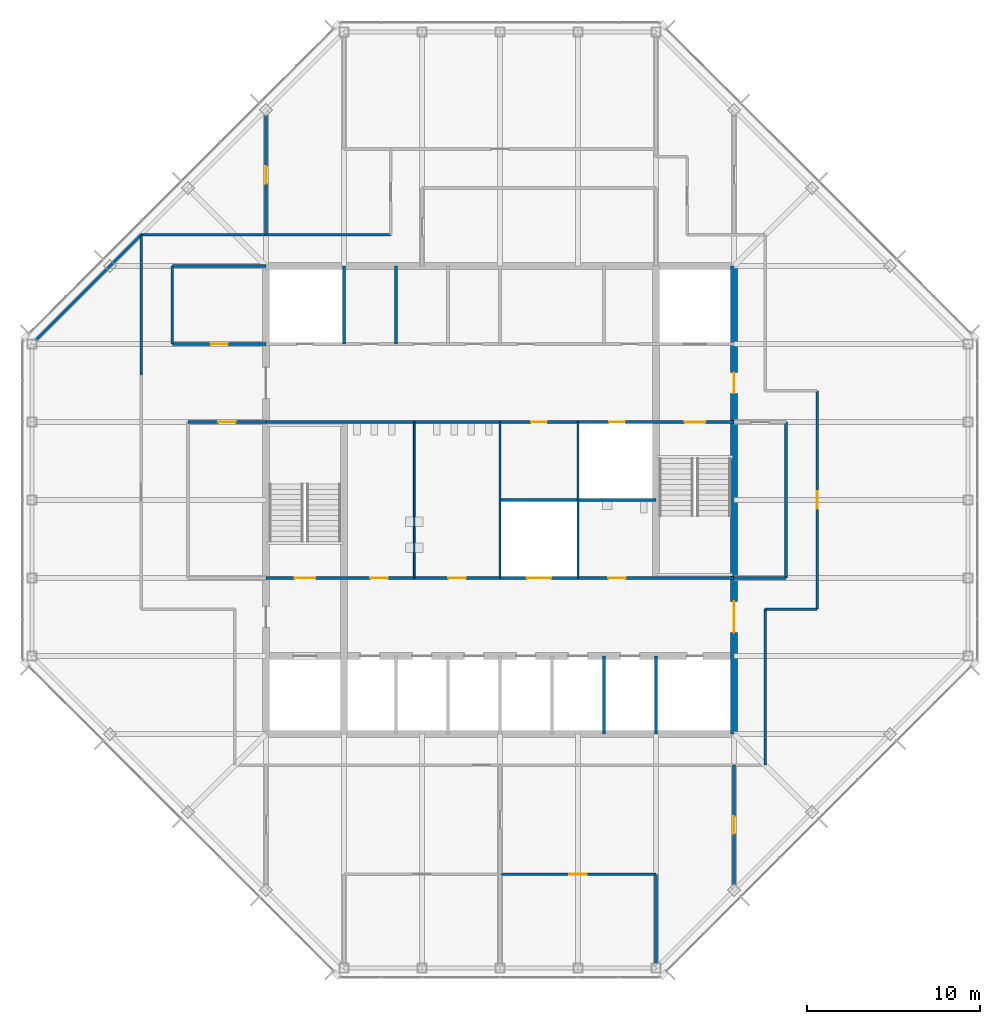
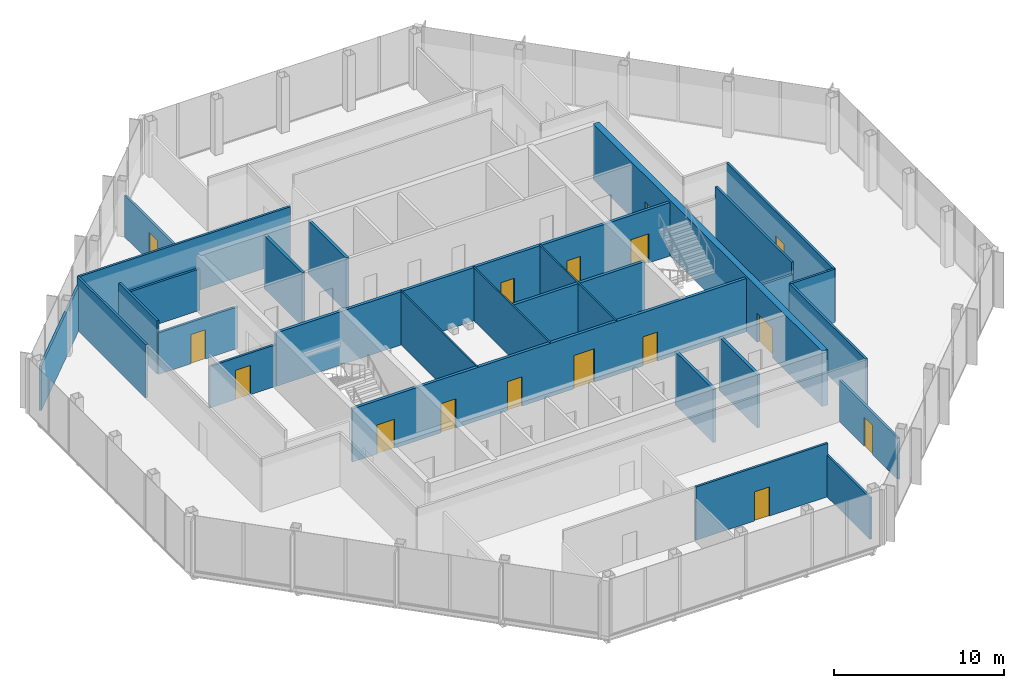
# One storey, part 10 of 13: 27 walls, 16 doors, 16 openings.
"""IFC4 building model written with IfcOpenShell, lengths in metres."""

from ifc_helpers import new_model, si_unit, direction, frame, frame_2d, origin, place, context, subcontext, project, spatial, rectangle, extrude, material, layer, layer_set, type_object, element, fill, save


model = new_model("IFC4")

# Units and contexts
model_context = context("Model", 3, precision=1e-05, world=origin(), true_north=direction((0.0, 1.0)))
body_context = subcontext(model_context, "Body", "Model", "MODEL_VIEW")
ifc_project = project(units=[si_unit("LENGTHUNIT", "METRE"), si_unit("AREAUNIT", "SQUARE_METRE"), si_unit("VOLUMEUNIT", "CUBIC_METRE"), si_unit("PLANEANGLEUNIT", "RADIAN"), si_unit("MASSUNIT", "GRAM", prefix="KILO")], contexts=[model_context])

# Site, building, storey
site_placement = place(None, origin())
site = spatial("IfcSite", under=ifc_project, at=site_placement, CompositionType="ELEMENT")
building_placement = place(site_placement, origin())
building = spatial("IfcBuilding", under=site, at=building_placement, Name="Corais Broadcast Tower", CompositionType="ELEMENT")
storey_placement = place(building_placement, frame((0.0, 0.0, 306.60009765625)))
storey = spatial("IfcBuildingStorey", under=building, at=storey_placement, Name="L72", CompositionType="ELEMENT", Elevation=306.60009765625)

# Walls
ifc_material_1 = material(Name="Concrete blockwork class A, grouted, two-hour", Category="masonry")
ifc_layer_1 = layer(ifc_material_1, 0.199951171875)
ifc_layer_set_1 = layer_set([ifc_layer_1], Name="Concrete blockwork class A, grouted, two-hour")
wall_type_1 = type_object("IfcWallType", Name="Core lobby wall 200", PredefinedType="SOLIDWALL", material=ifc_layer_set_1)
for number, where, z_axis, x_axis, name in (
    (1, (18.0, 36.0, 0.0), (0.0, 0.0, 1.0), (0.0, 1.0, 0.0), "CL3 core shaft wall X18B L72"),
    (2, (36.0, 13.5, 0.0), (0.0, 0.0, 1.0), (0.0, 1.0, 0.0), "CL3 core shaft wall X36A L72"),
):
    element("IfcWall", number, at=place(storey_placement, frame(where, z_axis=z_axis, x_axis=x_axis)), inside=storey, type_object=wall_type_1, Name=name, PredefinedType="SOLIDWALL", context=body_context, shape_type="SweptSolid", body=[
        extrude(rectangle(XDim=4.5, YDim=0.199951171875, at=frame_2d((2.25, 0.0))), origin(), (0.0, 0.0, 1.0), 3.83984375),
    ])

# Wall, openings, doors
wall_1_placement = place(storey_placement, frame((13.5, 22.5, 0.0), z_axis=(0.0, 0.0, 1.0), x_axis=(1.0, 0.0, 0.0)))
wall_1 = element("IfcWall", 3, at=wall_1_placement, inside=storey, type_object=wall_type_1, Name="CL3 core lobby wall Y225 L72", PredefinedType="SOLIDWALL", context=body_context, shape_type="SweptSolid", body=[
    extrude(rectangle(XDim=27.0, YDim=0.199951171875, at=frame_2d((13.5, 0.0))), origin(), (0.0, 0.0, 1.0), 3.83984375),
])
opening_1_placement = place(wall_1_placement, frame((1.64990234375, 0.0, 0.0)))
opening_1 = element("IfcOpeningElement", 4, at=opening_1_placement, cuts=wall_1, Name="Opening FD1", PredefinedType="OPENING", context=body_context, shape_type="SweptSolid", body=[
    extrude(rectangle(XDim=1.199951171875, YDim=2.10009765625, at=frame_2d((0.60009765625, 1.050048828125))), frame((0.0, 0.10986328125, 0.0), z_axis=(0.0, -1.0, 0.0), x_axis=(1.0, 0.0, 0.0)), (0.0, 0.0, 1.0), 0.219970703125),
])
opening_2_placement = place(wall_1_placement, frame((6.02490234375, 0.0, 0.0)))
opening_2 = element("IfcOpeningElement", 5, at=opening_2_placement, cuts=wall_1, Name="Opening WD1", PredefinedType="OPENING", context=body_context, shape_type="SweptSolid", body=[
    extrude(rectangle(XDim=1.0, YDim=2.10009765625, at=frame_2d((0.5, 1.050048828125))), frame((0.0, 0.10986328125, 0.0), z_axis=(0.0, -1.0, 0.0), x_axis=(1.0, 0.0, 0.0)), (0.0, 0.0, 1.0), 0.219970703125),
])
opening_3_placement = place(wall_1_placement, frame((10.52490234375, 0.0, 0.0)))
opening_3 = element("IfcOpeningElement", 6, at=opening_3_placement, cuts=wall_1, Name="Opening WD1", PredefinedType="OPENING", context=body_context, shape_type="SweptSolid", body=[
    extrude(rectangle(XDim=1.0, YDim=2.10009765625, at=frame_2d((0.5, 1.050048828125))), frame((0.0, 0.10986328125, 0.0), z_axis=(0.0, -1.0, 0.0), x_axis=(1.0, 0.0, 0.0)), (0.0, 0.0, 1.0), 0.219970703125),
])
opening_4_placement = place(wall_1_placement, frame((19.75, 0.0, 0.0)))
opening_4 = element("IfcOpeningElement", 7, at=opening_4_placement, cuts=wall_1, Name="Opening WD1", PredefinedType="OPENING", context=body_context, shape_type="SweptSolid", body=[
    extrude(rectangle(XDim=1.0, YDim=2.10009765625, at=frame_2d((0.5, 1.050048828125))), frame((0.0, 0.10986328125, 0.0), z_axis=(0.0, -1.0, 0.0), x_axis=(1.0, 0.0, 0.0)), (0.0, 0.0, 1.0), 0.219970703125),
])
opening_5_placement = place(wall_1_placement, frame((15.050048828125, 0.0, 0.0)))
opening_5 = element("IfcOpeningElement", 8, at=opening_5_placement, cuts=wall_1, Name="Opening LD3", PredefinedType="OPENING", context=body_context, shape_type="SweptSolid", body=[
    extrude(rectangle(XDim=1.39990234375, YDim=2.39990234375, at=frame_2d((0.699951171875, 1.199951171875))), frame((0.0, 0.10986328125, 0.0), z_axis=(0.0, -1.0, 0.0), x_axis=(1.0, 0.0, 0.0)), (0.0, 0.0, 1.0), 0.219970703125),
])
ifc_material_2 = material(Name="Steel fire door", Category="steel")
door_type_1 = type_object("IfcDoorType", Name="Fire door 1200x2100", OperationType="SINGLE_SWING_LEFT", PredefinedType="DOOR", material=ifc_material_2)
door_1_placement = place(opening_1_placement, origin())
door_1 = element("IfcDoor", 9, at=door_1_placement, inside=storey, type_object=door_type_1, Name="FD1 stair A door L72", OperationType="SINGLE_SWING_LEFT", OverallHeight=2.10009765625, OverallWidth=1.199951171875, PredefinedType="DOOR", context=body_context, shape_type="SweptSolid", body=[
    extrude(rectangle(XDim=1.199951171875, YDim=2.10009765625, at=frame_2d((0.60009765625, 1.050048828125))), frame((0.0, 0.02490234375, 0.0), z_axis=(0.0, -1.0, 0.0), x_axis=(1.0, 0.0, 0.0)), (0.0, 0.0, 1.0), 0.050048828125),
])
fill(opening_1, door_1)
ifc_material_3 = material(Name="Stainless steel lift door", Category="steel")
door_type_2 = type_object("IfcDoorType", Name="Service lift landing door 1400x2400", OperationType="SLIDING_TO_LEFT", PredefinedType="DOOR", material=ifc_material_3)
door_2_placement = place(opening_5_placement, origin())
door_2 = element("IfcDoor", 10, at=door_2_placement, inside=storey, type_object=door_type_2, Name="LD3 SL1 landing door L72", OperationType="SLIDING_TO_LEFT", OverallHeight=2.39990234375, OverallWidth=1.39990234375, PredefinedType="DOOR", context=body_context, shape_type="SweptSolid", body=[
    extrude(rectangle(XDim=1.39990234375, YDim=2.39990234375, at=frame_2d((0.699951171875, 1.199951171875))), frame((0.0, 0.02490234375, 0.0), z_axis=(0.0, -1.0, 0.0), x_axis=(1.0, 0.0, 0.0)), (0.0, 0.0, 1.0), 0.050048828125),
])
fill(opening_5, door_2)
ifc_material_4 = material(Name="Timber door", Category="wood")
door_type_3 = type_object("IfcDoorType", Name="Toilet door 1000x2100", OperationType="SINGLE_SWING_LEFT", PredefinedType="DOOR", material=ifc_material_4)
door_3_placement = place(opening_2_placement, origin())
door_3 = element("IfcDoor", 11, at=door_3_placement, inside=storey, type_object=door_type_3, Name="WD1 WC male door L72", OperationType="SINGLE_SWING_LEFT", OverallHeight=2.10009765625, OverallWidth=1.0, PredefinedType="DOOR", context=body_context, shape_type="SweptSolid", body=[
    extrude(rectangle(XDim=1.0, YDim=2.10009765625, at=frame_2d((0.5, 1.050048828125))), frame((0.0, 0.02490234375, 0.0), z_axis=(0.0, -1.0, 0.0), x_axis=(1.0, 0.0, 0.0)), (0.0, 0.0, 1.0), 0.050048828125),
])
fill(opening_2, door_3)
door_4_placement = place(opening_3_placement, origin())
door_4 = element("IfcDoor", 12, at=door_4_placement, inside=storey, type_object=door_type_3, Name="WD1 WC female door L72", OperationType="SINGLE_SWING_LEFT", OverallHeight=2.10009765625, OverallWidth=1.0, PredefinedType="DOOR", context=body_context, shape_type="SweptSolid", body=[
    extrude(rectangle(XDim=1.0, YDim=2.10009765625, at=frame_2d((0.5, 1.050048828125))), frame((0.0, 0.02490234375, 0.0), z_axis=(0.0, -1.0, 0.0), x_axis=(1.0, 0.0, 0.0)), (0.0, 0.0, 1.0), 0.050048828125),
])
fill(opening_3, door_4)
door_5_placement = place(opening_4_placement, origin())
door_5 = element("IfcDoor", 13, at=door_5_placement, inside=storey, type_object=door_type_3, Name="WD1 accessible WC door L72", OperationType="SINGLE_SWING_RIGHT", OverallHeight=2.10009765625, OverallWidth=1.0, PredefinedType="DOOR", context=body_context, shape_type="SweptSolid", body=[
    extrude(rectangle(XDim=1.0, YDim=2.10009765625, at=frame_2d((0.5, 1.050048828125))), frame((0.0, 0.02490234375, 0.0), z_axis=(0.0, -1.0, 0.0), x_axis=(1.0, 0.0, 0.0)), (0.0, 0.0, 1.0), 0.050048828125),
])
fill(opening_4, door_5)

wall_2_placement = place(storey_placement, frame((13.5, 31.5, 0.0), z_axis=(0.0, 0.0, 1.0), x_axis=(1.0, 0.0, 0.0)))
wall_2 = element("IfcWall", 14, at=wall_2_placement, inside=storey, type_object=wall_type_1, Name="CL3 core lobby wall Y315 L72", PredefinedType="SOLIDWALL", context=body_context, shape_type="SweptSolid", body=[
    extrude(rectangle(XDim=27.0, YDim=0.199951171875, at=frame_2d((13.5, 0.0))), origin(), (0.0, 0.0, 1.0), 3.83984375),
])
opening_6_placement = place(wall_2_placement, frame((24.14990234375, 0.0, 0.0)))
opening_6 = element("IfcOpeningElement", 15, at=opening_6_placement, cuts=wall_2, Name="Opening FD1", PredefinedType="OPENING", context=body_context, shape_type="SweptSolid", body=[
    extrude(rectangle(XDim=1.199951171875, YDim=2.10009765625, at=frame_2d((0.60009765625, 1.050048828125))), frame((0.0, 0.10986328125, 0.0), z_axis=(0.0, -1.0, 0.0), x_axis=(1.0, 0.0, 0.0)), (0.0, 0.0, 1.0), 0.219970703125),
])
opening_7_placement = place(wall_2_placement, frame((15.300048828125, 0.0, 0.0)))
opening_7 = element("IfcOpeningElement", 16, at=opening_7_placement, cuts=wall_2, Name="Opening RD1", PredefinedType="OPENING", context=body_context, shape_type="SweptSolid", body=[
    extrude(rectangle(XDim=0.89990234375, YDim=2.10009765625, at=frame_2d((0.449951171875, 1.050048828125))), frame((0.0, 0.10986328125, 0.0), z_axis=(0.0, -1.0, 0.0), x_axis=(1.0, 0.0, 0.0)), (0.0, 0.0, 1.0), 0.219970703125),
])
opening_8_placement = place(wall_2_placement, frame((19.800048828125, 0.0, 0.0)))
opening_8 = element("IfcOpeningElement", 17, at=opening_8_placement, cuts=wall_2, Name="Opening RD1", PredefinedType="OPENING", context=body_context, shape_type="SweptSolid", body=[
    extrude(rectangle(XDim=0.89990234375, YDim=2.10009765625, at=frame_2d((0.449951171875, 1.050048828125))), frame((0.0, 0.10986328125, 0.0), z_axis=(0.0, -1.0, 0.0), x_axis=(1.0, 0.0, 0.0)), (0.0, 0.0, 1.0), 0.219970703125),
])
door_6_placement = place(opening_6_placement, origin())
door_6 = element("IfcDoor", 18, at=door_6_placement, inside=storey, type_object=door_type_1, Name="FD1 stair B door L72", OperationType="SINGLE_SWING_RIGHT", OverallHeight=2.10009765625, OverallWidth=1.199951171875, PredefinedType="DOOR", context=body_context, shape_type="SweptSolid", body=[
    extrude(rectangle(XDim=1.199951171875, YDim=2.10009765625, at=frame_2d((0.60009765625, 1.050048828125))), frame((0.0, 0.02490234375, 0.0), z_axis=(0.0, -1.0, 0.0), x_axis=(1.0, 0.0, 0.0)), (0.0, 0.0, 1.0), 0.050048828125),
])
fill(opening_6, door_6)
ifc_material_5 = material(Name="Steel fire door", Category="steel")
door_type_4 = type_object("IfcDoorType", Name="Riser door 900x2100", OperationType="SINGLE_SWING_LEFT", PredefinedType="DOOR", material=ifc_material_5)
door_7_placement = place(opening_7_placement, origin())
door_7 = element("IfcDoor", 19, at=door_7_placement, inside=storey, type_object=door_type_4, Name="RD1 print room door L72", OperationType="SINGLE_SWING_RIGHT", OverallHeight=2.10009765625, OverallWidth=0.89990234375, PredefinedType="DOOR", context=body_context, shape_type="SweptSolid", body=[
    extrude(rectangle(XDim=0.89990234375, YDim=2.10009765625, at=frame_2d((0.449951171875, 1.050048828125))), frame((0.0, 0.02490234375, 0.0), z_axis=(0.0, -1.0, 0.0), x_axis=(1.0, 0.0, 0.0)), (0.0, 0.0, 1.0), 0.050048828125),
])
fill(opening_7, door_7)
door_8_placement = place(opening_8_placement, origin())
door_8 = element("IfcDoor", 20, at=door_8_placement, inside=storey, type_object=door_type_4, Name="RD1 riser door L72", OperationType="SINGLE_SWING_RIGHT", OverallHeight=2.10009765625, OverallWidth=0.89990234375, PredefinedType="DOOR", context=body_context, shape_type="SweptSolid", body=[
    extrude(rectangle(XDim=0.89990234375, YDim=2.10009765625, at=frame_2d((0.449951171875, 1.050048828125))), frame((0.0, 0.02490234375, 0.0), z_axis=(0.0, -1.0, 0.0), x_axis=(1.0, 0.0, 0.0)), (0.0, 0.0, 1.0), 0.050048828125),
])
fill(opening_8, door_8)

ifc_material_6 = material(Name="Concrete C50/60", Category="concrete")
ifc_layer_2 = layer(ifc_material_6, 0.39990234375)
ifc_layer_set_2 = layer_set([ifc_layer_2], Name="Concrete C50/60")
wall_type_2 = type_object("IfcWallType", Name="Core wall 400", PredefinedType="SHEAR", material=ifc_layer_set_2)
wall_3_placement = place(storey_placement, frame((40.5, 13.5, 0.0), z_axis=(0.0, 0.0, 1.0), x_axis=(0.0, 1.0, 0.0)))
wall_3 = element("IfcWall", 21, at=wall_3_placement, inside=storey, type_object=wall_type_2, Name="CR400 core wall E L72", PredefinedType="SHEAR", context=body_context, shape_type="SweptSolid", body=[
    extrude(rectangle(XDim=27.0, YDim=0.39990234375, at=frame_2d((13.5, 0.0))), origin(), (0.0, 0.0, 1.0), 4.0),
])
opening_9_placement = place(wall_3_placement, frame((5.85009765625, 0.0, 0.0)))
opening_9 = element("IfcOpeningElement", 22, at=opening_9_placement, cuts=wall_3, Name="Opening FD2", PredefinedType="OPENING", context=body_context, shape_type="SweptSolid", body=[
    extrude(rectangle(XDim=1.800048828125, YDim=2.10009765625, at=frame_2d((0.89990234375, 1.050048828125))), frame((0.0, 0.2099609375, 0.0), z_axis=(0.0, -1.0, 0.0), x_axis=(1.0, 0.0, 0.0)), (0.0, 0.0, 1.0), 0.419921875),
])
opening_10_placement = place(wall_3_placement, frame((19.64990234375, 0.0, 0.0)))
opening_10 = element("IfcOpeningElement", 23, at=opening_10_placement, cuts=wall_3, Name="Opening FD1", PredefinedType="OPENING", context=body_context, shape_type="SweptSolid", body=[
    extrude(rectangle(XDim=1.199951171875, YDim=2.10009765625, at=frame_2d((0.60009765625, 1.050048828125))), frame((0.0, 0.2099609375, 0.0), z_axis=(0.0, -1.0, 0.0), x_axis=(1.0, 0.0, 0.0)), (0.0, 0.0, 1.0), 0.419921875),
])
door_9_placement = place(opening_10_placement, origin())
door_9 = element("IfcDoor", 24, at=door_9_placement, inside=storey, type_object=door_type_1, Name="FD1 fire lobby B door L72", OperationType="SINGLE_SWING_RIGHT", OverallHeight=2.10009765625, OverallWidth=1.199951171875, PredefinedType="DOOR", context=body_context, shape_type="SweptSolid", body=[
    extrude(rectangle(XDim=1.199951171875, YDim=2.10009765625, at=frame_2d((0.60009765625, 1.050048828125))), frame((0.0, 0.02490234375, 0.0), z_axis=(0.0, -1.0, 0.0), x_axis=(1.0, 0.0, 0.0)), (0.0, 0.0, 1.0), 0.050048828125),
])
fill(opening_10, door_9)
ifc_material_7 = material(Name="Steel fire door", Category="steel")
door_type_5 = type_object("IfcDoorType", Name="Fire door pair 1800x2100", OperationType="DOUBLE_DOOR_SINGLE_SWING", PredefinedType="DOOR", material=ifc_material_7)
door_10_placement = place(opening_9_placement, origin())
door_10 = element("IfcDoor", 25, at=door_10_placement, inside=storey, type_object=door_type_5, Name="FD2 lift lobby door L72", OperationType="SINGLE_SWING_LEFT", OverallHeight=2.10009765625, OverallWidth=1.800048828125, PredefinedType="DOOR", context=body_context, shape_type="SweptSolid", body=[
    extrude(rectangle(XDim=1.800048828125, YDim=2.10009765625, at=frame_2d((0.89990234375, 1.050048828125))), frame((0.0, 0.02490234375, 0.0), z_axis=(0.0, -1.0, 0.0), x_axis=(1.0, 0.0, 0.0)), (0.0, 0.0, 1.0), 0.050048828125),
])
fill(opening_9, door_10)

# Wall, opening, door
ifc_material_8 = material(Name="Gypsum board on steel studs", Category="steel")
ifc_layer_3 = layer(ifc_material_8, 0.14990234375)
ifc_layer_set_3 = layer_set([ifc_layer_3], Name="Gypsum board on steel studs")
wall_type_3 = type_object("IfcWallType", Name="Partition 150", PredefinedType="PARTITIONING", material=ifc_layer_set_3)
wall_4_placement = place(storey_placement, frame((45.300048828125, 20.699951171875, 0.0), z_axis=(0.0, 0.0, 1.0), x_axis=(0.0, 1.0, 0.0)))
wall_4 = element("IfcWall", 26, at=wall_4_placement, inside=storey, type_object=wall_type_3, Name="IW3 corridor wall L72", PredefinedType="PARTITIONING", context=body_context, shape_type="SweptSolid", body=[
    extrude(rectangle(XDim=12.60009765625, YDim=0.14990234375, at=frame_2d((6.300048828125, 0.0))), origin(), (0.0, 0.0, 1.0), 3.83984375),
])
opening_11_placement = place(wall_4_placement, frame((5.800048828125, 0.0, 0.0)))
opening_11 = element("IfcOpeningElement", 27, at=opening_11_placement, cuts=wall_4, Name="Opening D1", PredefinedType="OPENING", context=body_context, shape_type="SweptSolid", body=[
    extrude(rectangle(XDim=1.0, YDim=2.10009765625, at=frame_2d((0.5, 1.050048828125))), frame((0.0, 0.0849609375, 0.0), z_axis=(0.0, -1.0, 0.0), x_axis=(1.0, 0.0, 0.0)), (0.0, 0.0, 1.0), 0.169921875),
])
ifc_material_9 = material(Name="Timber door", Category="wood")
door_type_6 = type_object("IfcDoorType", Name="Single door 1000x2100", OperationType="SINGLE_SWING_LEFT", PredefinedType="DOOR", material=ifc_material_9)
door_11_placement = place(opening_11_placement, origin())
door_11 = element("IfcDoor", 28, at=door_11_placement, inside=storey, type_object=door_type_6, Name="D1 workplace door L72", OperationType="SINGLE_SWING_LEFT", OverallHeight=2.10009765625, OverallWidth=1.0, PredefinedType="DOOR", context=body_context, shape_type="SweptSolid", body=[
    extrude(rectangle(XDim=1.0, YDim=2.10009765625, at=frame_2d((0.5, 1.050048828125))), frame((0.0, 0.02490234375, 0.0), z_axis=(0.0, -1.0, 0.0), x_axis=(1.0, 0.0, 0.0)), (0.0, 0.0, 1.0), 0.050048828125),
])
fill(opening_11, door_11)

# Walls
wall_5_placement = place(storey_placement, frame((42.300048828125, 11.699951171875, 0.0), z_axis=(0.0, 0.0, 1.0), x_axis=(0.0, 1.0, 0.0)))
element("IfcWall", 29, at=wall_5_placement, inside=storey, type_object=wall_type_3, Name="IW3 corridor wall L72", PredefinedType="PARTITIONING", context=body_context, shape_type="SweptSolid", body=[
    extrude(rectangle(XDim=9.0, YDim=0.14990234375, at=frame_2d((4.5, 0.0))), origin(), (0.0, 0.0, 1.0), 3.83984375),
])
wall_6_placement = place(storey_placement, frame((0.201416015625, 36.201416015625, 0.0), z_axis=(0.0, 0.0, 1.0), x_axis=(0.707106781187, 0.707106781187, 0.0)))
element("IfcWall", 30, at=wall_6_placement, inside=storey, type_object=wall_type_3, Name="IW3 corridor wall L72", PredefinedType="PARTITIONING", context=body_context, shape_type="SweptSolid", body=[
    extrude(rectangle(XDim=8.624755859375, YDim=0.14990234375, at=frame_2d((4.3125, 0.0))), origin(), (0.0, 0.0, 1.0), 3.222900390625),
])
wall_7_placement = place(storey_placement, frame((6.300048828125, 42.300048828125, 0.0), z_axis=(0.0, 0.0, 1.0), x_axis=(0.0, -1.0, 0.0)))
element("IfcWall", 31, at=wall_7_placement, inside=storey, type_object=wall_type_3, Name="IW3 corridor wall L72", PredefinedType="PARTITIONING", context=body_context, shape_type="SweptSolid", body=[
    extrude(rectangle(XDim=8.10009765625, YDim=0.14990234375, at=frame_2d((4.050048828125, 0.0))), origin(), (0.0, 0.0, 1.0), 3.83984375),
])
wall_8_placement = place(storey_placement, frame((42.300048828125, 20.699951171875, 0.0), z_axis=(0.0, 0.0, 1.0), x_axis=(1.0, 0.0, 0.0)))
element("IfcWall", 32, at=wall_8_placement, inside=storey, type_object=wall_type_3, Name="IW3 corridor wall L72", PredefinedType="PARTITIONING", context=body_context, shape_type="SweptSolid", body=[
    extrude(rectangle(XDim=3.0, YDim=0.14990234375, at=frame_2d((1.5, 0.0))), origin(), (0.0, 0.0, 1.0), 3.83984375),
])
wall_9_placement = place(storey_placement, frame((20.699951171875, 42.300048828125, 0.0), z_axis=(0.0, 0.0, 1.0), x_axis=(-1.0, 0.0, 0.0)))
element("IfcWall", 33, at=wall_9_placement, inside=storey, type_object=wall_type_3, Name="IW3 corridor wall L72", PredefinedType="PARTITIONING", context=body_context, shape_type="SweptSolid", body=[
    extrude(rectangle(XDim=14.39990234375, YDim=0.14990234375, at=frame_2d((7.199951171875, 0.0))), origin(), (0.0, 0.0, 1.0), 3.83984375),
])
wall_10_placement = place(storey_placement, frame((36.0, 0.284912109375, 0.0), z_axis=(0.0, 0.0, 1.0), x_axis=(0.0, 1.0, 0.0)))
element("IfcWall", 34, at=wall_10_placement, inside=storey, type_object=wall_type_3, Name="IW3 partition L72", PredefinedType="PARTITIONING", context=body_context, shape_type="SweptSolid", body=[
    extrude(rectangle(XDim=5.114990234375, YDim=0.14990234375, at=frame_2d((2.5576171875, 0.0))), origin(), (0.0, 0.0, 1.0), 2.989013671875),
])

# Wall, opening, door
wall_11_placement = place(storey_placement, frame((36.0, 5.39990234375, 0.0), z_axis=(0.0, 0.0, 1.0), x_axis=(-1.0, 0.0, 0.0)))
wall_11 = element("IfcWall", 35, at=wall_11_placement, inside=storey, type_object=wall_type_3, Name="IW3 partition L72", PredefinedType="PARTITIONING", context=body_context, shape_type="SweptSolid", body=[
    extrude(rectangle(XDim=9.0, YDim=0.14990234375, at=frame_2d((4.5, 0.0))), origin(), (0.0, 0.0, 1.0), 3.83984375),
])
opening_12_placement = place(wall_11_placement, frame((4.0, 0.0, 0.0)))
opening_12 = element("IfcOpeningElement", 36, at=opening_12_placement, cuts=wall_11, Name="Opening D1", PredefinedType="OPENING", context=body_context, shape_type="SweptSolid", body=[
    extrude(rectangle(XDim=1.0, YDim=2.10009765625, at=frame_2d((0.5, 1.050048828125))), frame((0.0, 0.0849609375, 0.0), z_axis=(0.0, -1.0, 0.0), x_axis=(1.0, 0.0, 0.0)), (0.0, 0.0, 1.0), 0.169921875),
])
door_12_placement = place(opening_12_placement, origin())
door_12 = element("IfcDoor", 37, at=door_12_placement, inside=storey, type_object=door_type_6, Name="D1 Hospitality meeting room door", OperationType="SINGLE_SWING_LEFT", OverallHeight=2.10009765625, OverallWidth=1.0, PredefinedType="DOOR", context=body_context, shape_type="SweptSolid", body=[
    extrude(rectangle(XDim=1.0, YDim=2.10009765625, at=frame_2d((0.5, 1.050048828125))), frame((0.0, 0.02490234375, 0.0), z_axis=(0.0, -1.0, 0.0), x_axis=(1.0, 0.0, 0.0)), (0.0, 0.0, 1.0), 0.050048828125),
])
fill(opening_12, door_12)

# Walls
wall_12_placement = place(storey_placement, frame((40.5, 22.5, 0.0), z_axis=(0.0, 0.0, 1.0), x_axis=(1.0, 0.0, 0.0)))
element("IfcWall", 38, at=wall_12_placement, inside=storey, type_object=wall_type_3, Name="IW3 partition L72", PredefinedType="PARTITIONING", context=body_context, shape_type="SweptSolid", body=[
    extrude(rectangle(XDim=3.0, YDim=0.14990234375, at=frame_2d((1.5, 0.0))), origin(), (0.0, 0.0, 1.0), 2.989013671875),
])
wall_13_placement = place(storey_placement, frame((43.5, 22.5, 0.0), z_axis=(0.0, 0.0, 1.0), x_axis=(0.0, 1.0, 0.0)))
element("IfcWall", 39, at=wall_13_placement, inside=storey, type_object=wall_type_3, Name="IW3 partition L72", PredefinedType="PARTITIONING", context=body_context, shape_type="SweptSolid", body=[
    extrude(rectangle(XDim=9.0, YDim=0.14990234375, at=frame_2d((4.5, 0.0))), origin(), (0.0, 0.0, 1.0), 3.83984375),
])

# Wall, opening, door
wall_14_placement = place(storey_placement, frame((13.5, 31.5, 0.0), z_axis=(0.0, 0.0, 1.0), x_axis=(-1.0, 0.0, 0.0)))
wall_14 = element("IfcWall", 40, at=wall_14_placement, inside=storey, type_object=wall_type_3, Name="IW3 partition L72", PredefinedType="PARTITIONING", context=body_context, shape_type="SweptSolid", body=[
    extrude(rectangle(XDim=4.5, YDim=0.14990234375, at=frame_2d((2.25, 0.0))), origin(), (0.0, 0.0, 1.0), 2.989013671875),
])
opening_13_placement = place(wall_14_placement, frame((1.75, 0.0, 0.0)))
opening_13 = element("IfcOpeningElement", 41, at=opening_13_placement, cuts=wall_14, Name="Opening D1", PredefinedType="OPENING", context=body_context, shape_type="SweptSolid", body=[
    extrude(rectangle(XDim=1.0, YDim=2.10009765625, at=frame_2d((0.5, 1.050048828125))), frame((0.0, 0.0849609375, 0.0), z_axis=(0.0, -1.0, 0.0), x_axis=(1.0, 0.0, 0.0)), (0.0, 0.0, 1.0), 0.169921875),
])
door_13_placement = place(opening_13_placement, origin())
door_13 = element("IfcDoor", 42, at=door_13_placement, inside=storey, type_object=door_type_6, Name="D1 Concierge door", OperationType="SINGLE_SWING_LEFT", OverallHeight=2.10009765625, OverallWidth=1.0, PredefinedType="DOOR", context=body_context, shape_type="SweptSolid", body=[
    extrude(rectangle(XDim=1.0, YDim=2.10009765625, at=frame_2d((0.5, 1.050048828125))), frame((0.0, 0.02490234375, 0.0), z_axis=(0.0, -1.0, 0.0), x_axis=(1.0, 0.0, 0.0)), (0.0, 0.0, 1.0), 0.050048828125),
])
fill(opening_13, door_13)

wall_15_placement = place(storey_placement, frame((8.10009765625, 36.0, 0.0), z_axis=(0.0, 0.0, 1.0), x_axis=(1.0, 0.0, 0.0)))
wall_15 = element("IfcWall", 43, at=wall_15_placement, inside=storey, type_object=wall_type_3, Name="IW3 partition L72", PredefinedType="PARTITIONING", context=body_context, shape_type="SweptSolid", body=[
    extrude(rectangle(XDim=5.39990234375, YDim=0.14990234375, at=frame_2d((2.699951171875, 0.0))), origin(), (0.0, 0.0, 1.0), 2.989013671875),
])
opening_14_placement = place(wall_15_placement, frame((2.199951171875, 0.0, 0.0)))
opening_14 = element("IfcOpeningElement", 44, at=opening_14_placement, cuts=wall_15, Name="Opening D1", PredefinedType="OPENING", context=body_context, shape_type="SweptSolid", body=[
    extrude(rectangle(XDim=1.0, YDim=2.10009765625, at=frame_2d((0.5, 1.050048828125))), frame((0.0, 0.0849609375, 0.0), z_axis=(0.0, -1.0, 0.0), x_axis=(1.0, 0.0, 0.0)), (0.0, 0.0, 1.0), 0.169921875),
])
door_14_placement = place(opening_14_placement, origin())
door_14 = element("IfcDoor", 45, at=door_14_placement, inside=storey, type_object=door_type_6, Name="D1 Cloakroom door", OperationType="SINGLE_SWING_LEFT", OverallHeight=2.10009765625, OverallWidth=1.0, PredefinedType="DOOR", context=body_context, shape_type="SweptSolid", body=[
    extrude(rectangle(XDim=1.0, YDim=2.10009765625, at=frame_2d((0.5, 1.050048828125))), frame((0.0, 0.02490234375, 0.0), z_axis=(0.0, -1.0, 0.0), x_axis=(1.0, 0.0, 0.0)), (0.0, 0.0, 1.0), 0.050048828125),
])
fill(opening_14, door_14)

# Walls
wall_16_placement = place(storey_placement, frame((13.5, 40.5, 0.0), z_axis=(0.0, 0.0, 1.0), x_axis=(-1.0, 0.0, 0.0)))
element("IfcWall", 46, at=wall_16_placement, inside=storey, type_object=wall_type_3, Name="IW3 partition L72", PredefinedType="PARTITIONING", context=body_context, shape_type="SweptSolid", body=[
    extrude(rectangle(XDim=5.39990234375, YDim=0.14990234375, at=frame_2d((2.699951171875, 0.0))), origin(), (0.0, 0.0, 1.0), 2.989013671875),
])
wall_17_placement = place(storey_placement, frame((8.10009765625, 40.5, 0.0), z_axis=(0.0, 0.0, 1.0), x_axis=(0.0, -1.0, 0.0)))
element("IfcWall", 47, at=wall_17_placement, inside=storey, type_object=wall_type_3, Name="IW3 partition L72", PredefinedType="PARTITIONING", context=body_context, shape_type="SweptSolid", body=[
    extrude(rectangle(XDim=4.5, YDim=0.14990234375, at=frame_2d((2.25, 0.0))), origin(), (0.0, 0.0, 1.0), 3.83984375),
])

# Wall, opening, door
wall_18_placement = place(storey_placement, frame((40.5, 4.794921875, 0.0), z_axis=(0.0, 0.0, 1.0), x_axis=(0.0, 1.0, 0.0)))
wall_18 = element("IfcWall", 48, at=wall_18_placement, inside=storey, type_object=wall_type_3, Name="IW3 partition L72", PredefinedType="PARTITIONING", context=body_context, shape_type="SweptSolid", body=[
    extrude(rectangle(XDim=6.905029296875, YDim=0.14990234375, at=frame_2d((3.45263671875, 0.0))), origin(), (0.0, 0.0, 1.0), 2.989013671875),
])
opening_15_placement = place(wall_18_placement, frame((2.952392578125, 0.0, 0.0)))
opening_15 = element("IfcOpeningElement", 49, at=opening_15_placement, cuts=wall_18, Name="Opening D1", PredefinedType="OPENING", context=body_context, shape_type="SweptSolid", body=[
    extrude(rectangle(XDim=1.0, YDim=2.10009765625, at=frame_2d((0.5, 1.050048828125))), frame((0.0, 0.0849609375, 0.0), z_axis=(0.0, -1.0, 0.0), x_axis=(1.0, 0.0, 0.0)), (0.0, 0.0, 1.0), 0.169921875),
])
door_15_placement = place(opening_15_placement, origin())
door_15 = element("IfcDoor", 50, at=door_15_placement, inside=storey, type_object=door_type_6, Name="D1 team room door L72", OperationType="SINGLE_SWING_LEFT", OverallHeight=2.10009765625, OverallWidth=1.0, PredefinedType="DOOR", context=body_context, shape_type="SweptSolid", body=[
    extrude(rectangle(XDim=1.0, YDim=2.10009765625, at=frame_2d((0.5, 1.050048828125))), frame((0.0, 0.02490234375, 0.0), z_axis=(0.0, -1.0, 0.0), x_axis=(1.0, 0.0, 0.0)), (0.0, 0.0, 1.0), 0.050048828125),
])
fill(opening_15, door_15)

wall_19_placement = place(storey_placement, frame((13.5, 42.300048828125, 0.0), z_axis=(0.0, 0.0, 1.0), x_axis=(0.0, 1.0, 0.0)))
wall_19 = element("IfcWall", 51, at=wall_19_placement, inside=storey, type_object=wall_type_3, Name="IW3 partition L72", PredefinedType="PARTITIONING", context=body_context, shape_type="SweptSolid", body=[
    extrude(rectangle(XDim=6.905029296875, YDim=0.14990234375, at=frame_2d((3.45263671875, 0.0))), origin(), (0.0, 0.0, 1.0), 2.989013671875),
])
opening_16_placement = place(wall_19_placement, frame((2.952392578125, 0.0, 0.0)))
opening_16 = element("IfcOpeningElement", 52, at=opening_16_placement, cuts=wall_19, Name="Opening D1", PredefinedType="OPENING", context=body_context, shape_type="SweptSolid", body=[
    extrude(rectangle(XDim=1.0, YDim=2.10009765625, at=frame_2d((0.5, 1.050048828125))), frame((0.0, 0.0849609375, 0.0), z_axis=(0.0, -1.0, 0.0), x_axis=(1.0, 0.0, 0.0)), (0.0, 0.0, 1.0), 0.169921875),
])
door_16_placement = place(opening_16_placement, origin())
door_16 = element("IfcDoor", 53, at=door_16_placement, inside=storey, type_object=door_type_6, Name="D1 team room door L72", OperationType="SINGLE_SWING_LEFT", OverallHeight=2.10009765625, OverallWidth=1.0, PredefinedType="DOOR", context=body_context, shape_type="SweptSolid", body=[
    extrude(rectangle(XDim=1.0, YDim=2.10009765625, at=frame_2d((0.5, 1.050048828125))), frame((0.0, 0.02490234375, 0.0), z_axis=(0.0, -1.0, 0.0), x_axis=(1.0, 0.0, 0.0)), (0.0, 0.0, 1.0), 0.050048828125),
])
fill(opening_16, door_16)

# Walls
ifc_material_10 = material(Name="Concrete blockwork class A, grouted, two-hour", Category="masonry")
ifc_layer_4 = layer(ifc_material_10, 0.199951171875)
ifc_layer_set_4 = layer_set([ifc_layer_4], Name="Concrete blockwork class A, grouted, two-hour")
wall_type_4 = type_object("IfcWallType", Name="Shaft wall 200", PredefinedType="PARTITIONING", material=ifc_layer_set_4)
for number, where, z_axis, x_axis, name in (
    (54, (21.0, 36.0, 0.0), (0.0, 0.0, 1.0), (0.0, 1.0, 0.0), "IW1 shaft wall L72"),
    (55, (33.0, 13.5, 0.0), (0.0, 0.0, 1.0), (0.0, 1.0, 0.0), "IW1 shaft wall L72"),
):
    element("IfcWall", number, at=place(storey_placement, frame(where, z_axis=z_axis, x_axis=x_axis)), inside=storey, type_object=wall_type_4, Name=name, PredefinedType="PARTITIONING", context=body_context, shape_type="SweptSolid", body=[
        extrude(rectangle(XDim=4.5, YDim=0.199951171875, at=frame_2d((2.25, 0.0))), origin(), (0.0, 0.0, 1.0), 3.83984375),
    ])
wall_20_placement = place(storey_placement, frame((27.0, 27.0, 0.0), z_axis=(0.0, 0.0, 1.0), x_axis=(1.0, 0.0, 0.0)))
element("IfcWall", 56, at=wall_20_placement, inside=storey, type_object=wall_type_4, Name="IW1 shaft wall L72", PredefinedType="PARTITIONING", context=body_context, shape_type="SweptSolid", body=[
    extrude(rectangle(XDim=9.0, YDim=0.199951171875, at=frame_2d((4.5, 0.0))), origin(), (0.0, 0.0, 1.0), 3.83984375),
])
ifc_material_11 = material(Name="Dense concrete blockwork class A, tiled both faces", Category="masonry")
ifc_layer_5 = layer(ifc_material_11, 0.10009765625)
ifc_layer_set_5 = layer_set([ifc_layer_5], Name="Dense concrete blockwork class A, tiled both faces")
wall_type_5 = type_object("IfcWallType", Name="Toilet wall 100", PredefinedType="PLUMBINGWALL", material=ifc_layer_set_5)
for number, where, z_axis, x_axis, name in (
    (57, (22.050048828125, 22.5, 0.0), (0.0, 0.0, 1.0), (0.0, 1.0, 0.0), "IW2 toilet wall L72"),
    (58, (27.0, 22.5, 0.0), (0.0, 0.0, 1.0), (0.0, 1.0, 0.0), "IW2 toilet wall L72"),
    (59, (31.5, 22.5, 0.0), (0.0, 0.0, 1.0), (0.0, 1.0, 0.0), "IW2 toilet wall L72"),
):
    element("IfcWall", number, at=place(storey_placement, frame(where, z_axis=z_axis, x_axis=x_axis)), inside=storey, type_object=wall_type_5, Name=name, PredefinedType="PLUMBINGWALL", context=body_context, shape_type="SweptSolid", body=[
        extrude(rectangle(XDim=9.0, YDim=0.10009765625, at=frame_2d((4.5, 0.0))), origin(), (0.0, 0.0, 1.0), 3.83984375),
    ])

save(model, "model.ifc")
